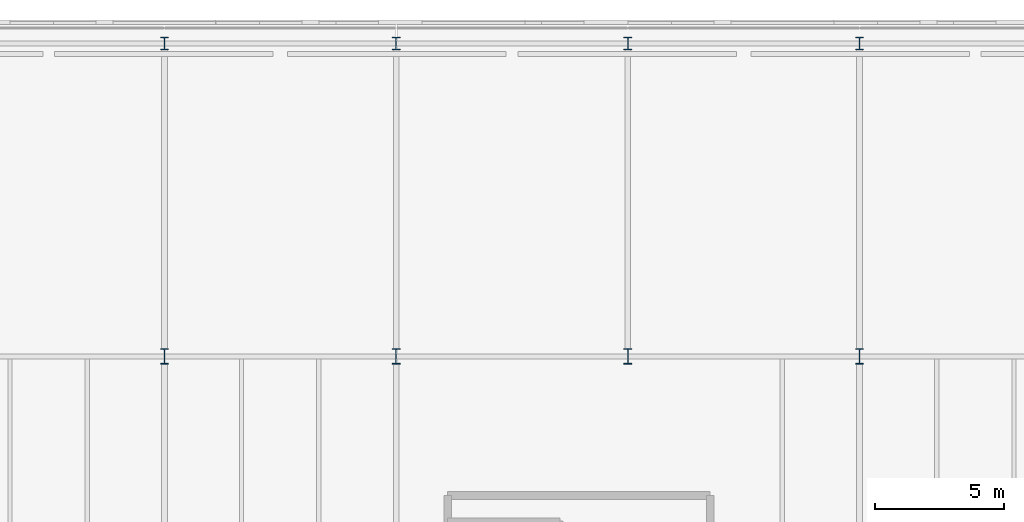
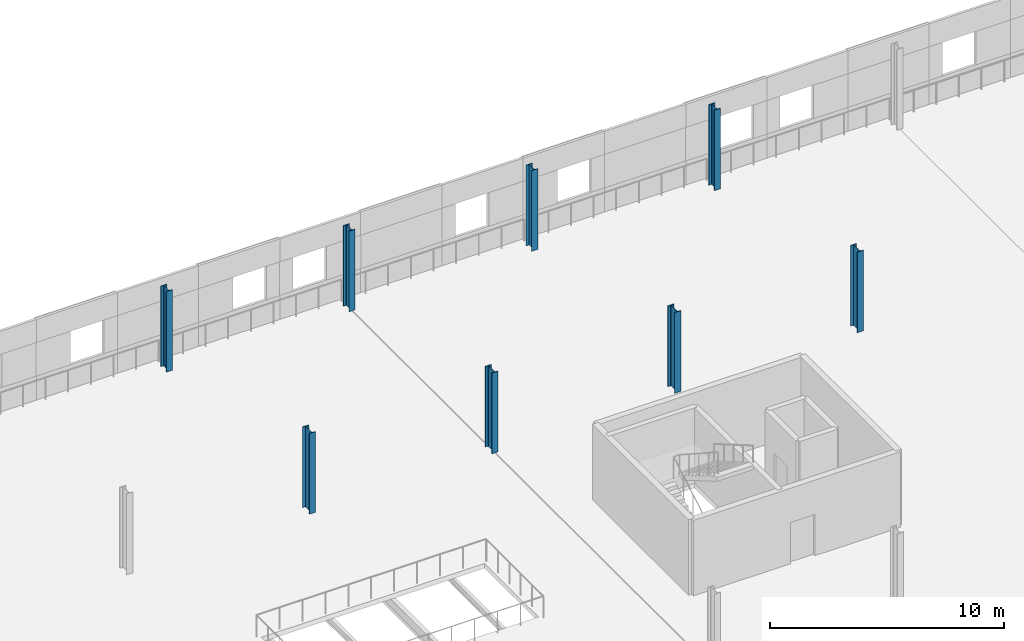
# One storey, part 11 of 132: 8 columns.
"""IFC4 building model written with IfcOpenShell, lengths in metres."""

from ifc_helpers import new_model, si_unit, direction, frame, origin, origin_2d, place, context, subcontext, project, spatial, i_section, extrude, material, material_profile, profile_set, type_object, element, save


model = new_model("IFC4")

# Units and contexts
model_context = context("Model", 3, precision=1e-05, world=origin(), true_north=direction((0.0, 1.0)))
body_context = subcontext(model_context, "Body", "Model", "MODEL_VIEW")
ifc_project = project(units=[si_unit("LENGTHUNIT", "METRE"), si_unit("AREAUNIT", "SQUARE_METRE"), si_unit("VOLUMEUNIT", "CUBIC_METRE"), si_unit("PLANEANGLEUNIT", "RADIAN"), si_unit("MASSUNIT", "GRAM", prefix="KILO")], contexts=[model_context])

# Site, building, storey
site_placement = place(None, origin())
site = spatial("IfcSite", under=ifc_project, at=site_placement, CompositionType="ELEMENT")
building_placement = place(site_placement, origin())
building = spatial("IfcBuilding", under=site, at=building_placement, Name="Deido Ridge Mobility Hub", CompositionType="ELEMENT")
storey_placement = place(building_placement, frame((0.0, 0.0, 8.39990234375)))
storey = spatial("IfcBuildingStorey", under=building, at=storey_placement, Name="L02", CompositionType="ELEMENT", Elevation=8.39990234375)

# Columns
ifc_material = material(Name="Steel S355J2 EN 10025-2", Category="steel")
ifc_material_profile_1 = material_profile(ifc_material, i_section(OverallWidth=0.300048828125, OverallDepth=0.5, WebThickness=0.014404296875, FlangeThickness=0.028076171875, FilletRadius=0.027099609375, at=origin_2d()), Name="HEB 500")
ifc_profile_set_1 = profile_set([ifc_material_profile_1], Name="Steel S355J2 EN 10025-2")
column_type_1 = type_object("IfcColumnType", Name="COL-HEB500", PredefinedType="COLUMN", material=ifc_profile_set_1)
for number, where, z_axis, x_axis, name in (
    (1, (63.0, 125.14990234375, 0.0), (0.0, 0.0, 1.0), (1.0, 0.0, 0.0), "Structural column C5"),
    (2, (72.0, 125.14990234375, 0.0), (0.0, 0.0, 1.0), (1.0, 0.0, 0.0), "Structural column C5"),
    (3, (81.0, 125.14990234375, 0.0), (0.0, 0.0, 1.0), (1.0, 0.0, 0.0), "Structural column C5"),
    (4, (90.0, 125.14990234375, 0.0), (0.0, 0.0, 1.0), (1.0, 0.0, 0.0), "Structural column C5"),
):
    element("IfcColumn", number, at=place(storey_placement, frame(where, z_axis=z_axis, x_axis=x_axis)), inside=storey, type_object=column_type_1, Name=name, PredefinedType="COLUMN", context=body_context, shape_type="SweptSolid", body=[
        extrude(i_section(OverallWidth=0.300048828125, OverallDepth=0.5, WebThickness=0.014404296875, FlangeThickness=0.028076171875, FilletRadius=0.027099609375, at=origin_2d()), origin(), (0.0, 0.0, 1.0), 4.2001953125),
    ])
ifc_material_profile_2 = material_profile(ifc_material, i_section(OverallWidth=0.300048828125, OverallDepth=0.60009765625, WebThickness=0.015380859375, FlangeThickness=0.030029296875, FilletRadius=0.027099609375, at=origin_2d()), Name="HEB 600")
ifc_profile_set_2 = profile_set([ifc_material_profile_2], Name="Steel S355J2 EN 10025-2")
column_type_2 = type_object("IfcColumnType", Name="COL-HEB600", PredefinedType="COLUMN", material=ifc_profile_set_2)
for number, where, z_axis, x_axis, name in (
    (5, (63.0, 113.0, 0.0), (0.0, 0.0, 1.0), (1.0, 0.0, 0.0), "Structural column C4"),
    (6, (72.0, 113.0, 0.0), (0.0, 0.0, 1.0), (1.0, 0.0, 0.0), "Structural column C4"),
    (7, (81.0, 113.0, 0.0), (0.0, 0.0, 1.0), (1.0, 0.0, 0.0), "Structural column C4"),
    (8, (90.0, 113.0, 0.0), (0.0, 0.0, 1.0), (1.0, 0.0, 0.0), "Structural column C4"),
):
    element("IfcColumn", number, at=place(storey_placement, frame(where, z_axis=z_axis, x_axis=x_axis)), inside=storey, type_object=column_type_2, Name=name, PredefinedType="COLUMN", context=body_context, shape_type="SweptSolid", body=[
        extrude(i_section(OverallWidth=0.300048828125, OverallDepth=0.60009765625, WebThickness=0.015380859375, FlangeThickness=0.030029296875, FilletRadius=0.027099609375, at=origin_2d()), origin(), (0.0, 0.0, 1.0), 4.2001953125),
    ])

save(model, "model.ifc")
